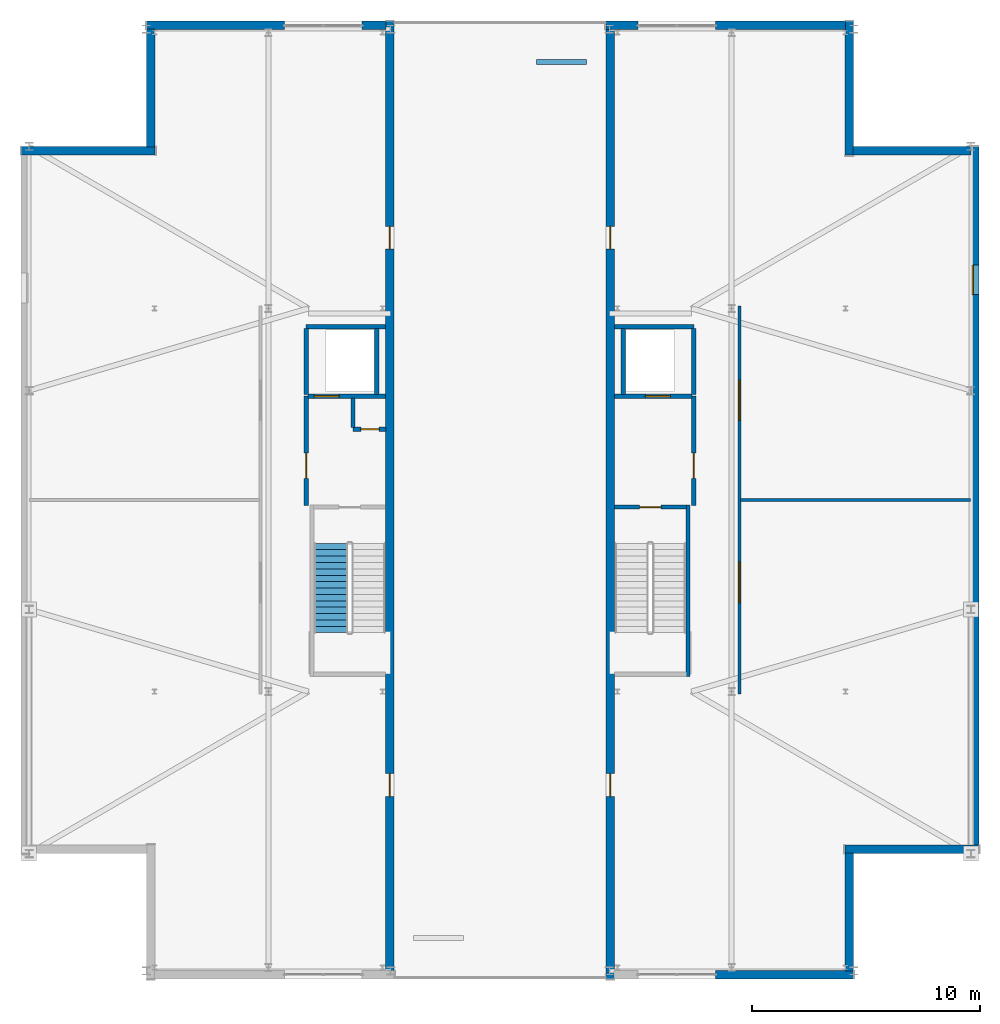
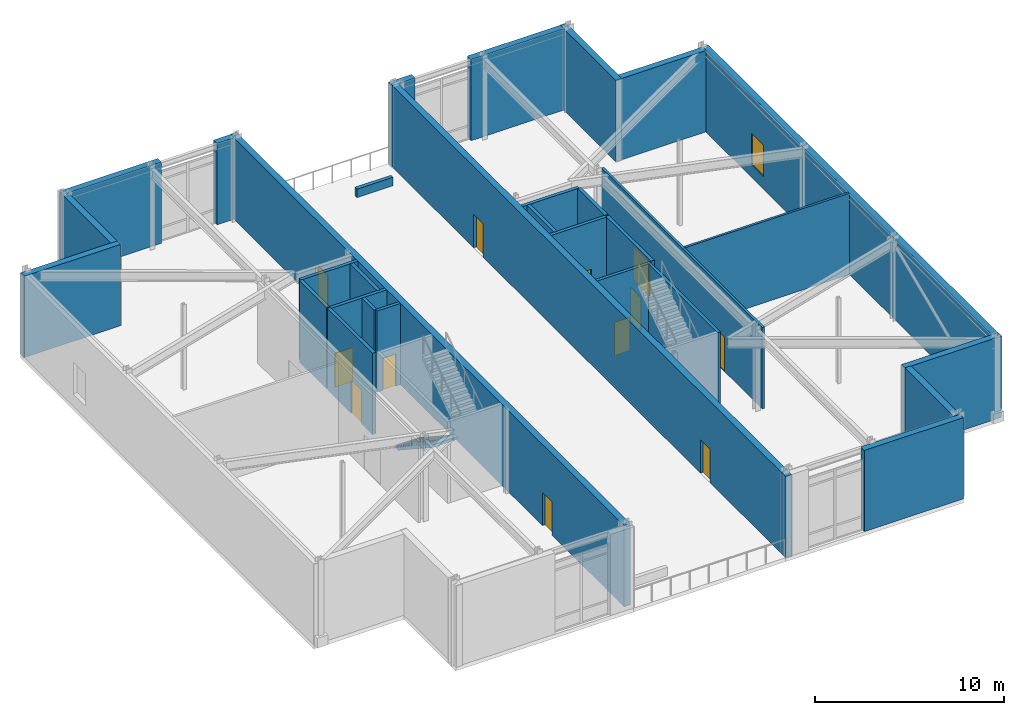
# One storey, part 12 of 16: 31 walls, 12 doors, 1 stair flight, 1 window, 13 openings, 1 element without a shape of its own.
"""IFC4 building model written with IfcOpenShell, lengths in metres."""

from ifc_helpers import new_model, si_unit, direction, frame, frame_2d, origin, place, context, subcontext, project, spatial, polyline, rectangle, outline, extrude, material, layer, layer_set, type_object, element, fill, aggregate, save


model = new_model("IFC4")

# Units and contexts
model_context = context("Model", 3, precision=1e-05, world=origin(), true_north=direction((0.0, 1.0)))
body_context = subcontext(model_context, "Body", "Model", "MODEL_VIEW")
ifc_project = project(units=[si_unit("LENGTHUNIT", "METRE"), si_unit("AREAUNIT", "SQUARE_METRE"), si_unit("VOLUMEUNIT", "CUBIC_METRE"), si_unit("PLANEANGLEUNIT", "RADIAN"), si_unit("MASSUNIT", "GRAM", prefix="KILO")], contexts=[model_context])

# Site, building, storey
site_placement = place(None, origin())
site = spatial("IfcSite", under=ifc_project, at=site_placement, CompositionType="ELEMENT")
building_placement = place(site_placement, origin())
building = spatial("IfcBuilding", under=site, at=building_placement, Name="Cairnveth Concourse Tower", CompositionType="ELEMENT")
storey_placement = place(building_placement, frame((0.0, 0.0, 324.5)))
storey = spatial("IfcBuildingStorey", under=building, at=storey_placement, Name="L89", CompositionType="ELEMENT", Elevation=324.5)

# Walls
ifc_material_1 = material(Name="Melbourne Buff Fired Clay Brick Masonry", Category="masonry")
ifc_layer_1 = layer(ifc_material_1, 0.3798828125)
ifc_layer_set_1 = layer_set([ifc_layer_1], Name="Melbourne Buff Fired Clay Brick Masonry")
wall_type_1 = type_object("IfcWallType", Name="EXTERIOR BRICK SPANDREL WALL 380", PredefinedType="SOLIDWALL", material=ifc_layer_set_1)
wall_1_placement = place(storey_placement, frame((31.0, 54.31005859375, 0.0), z_axis=(0.0, 0.0, 1.0), x_axis=(1.0, 0.0, 0.0)))
element("IfcWall", 1, at=wall_1_placement, inside=storey, type_object=wall_type_1, Name="Exterior Wall EW-L89-W3", PredefinedType="SOLIDWALL", context=body_context, shape_type="SweptSolid", body=[
    extrude(rectangle(XDim=5.8798828125, YDim=0.3798828125, at=frame_2d((2.93994140625, 0.0))), origin(), (0.0, 0.0, 1.0), 5.25),
])
wall_2_placement = place(storey_placement, frame((36.68994140625, 54.47802734375, 0.0), z_axis=(0.0, 0.0, 1.0), x_axis=(0.0, 1.0, 0.0)))
element("IfcWall", 2, at=wall_2_placement, inside=storey, type_object=wall_type_1, Name="Exterior Wall EW-L89-W4", PredefinedType="SOLIDWALL", context=body_context, shape_type="SweptSolid", body=[
    extrude(rectangle(XDim=5.1640625, YDim=0.3798828125, at=frame_2d((2.58203125, 0.0))), origin(), (0.0, 0.0, 1.0), 5.25),
])
wall_3_placement = place(storey_placement, frame((36.5, 59.81005859375, 0.0), z_axis=(0.0, 0.0, 1.0), x_axis=(1.0, 0.0, 0.0)))
element("IfcWall", 3, at=wall_3_placement, inside=storey, type_object=wall_type_1, Name="Exterior Wall EW-L89-W5A", PredefinedType="SOLIDWALL", context=body_context, shape_type="SweptSolid", body=[
    extrude(rectangle(XDim=6.050048828125, YDim=0.3798828125, at=frame_2d((3.02490234375, 0.0))), origin(), (0.0, 0.0, 1.0), 5.25),
])
wall_4_placement = place(storey_placement, frame((45.949951171875, 59.81005859375, 0.0), z_axis=(0.0, 0.0, 1.0), x_axis=(1.0, 0.0, 0.0)))
element("IfcWall", 4, at=wall_4_placement, inside=storey, type_object=wall_type_1, Name="Exterior Wall EW-L89-W5B", PredefinedType="SOLIDWALL", context=body_context, shape_type="SweptSolid", body=[
    extrude(rectangle(XDim=1.052001953125, YDim=0.3798828125, at=frame_2d((0.52587890625, 0.0))), origin(), (0.0, 0.0, 1.0), 5.25),
])

# Wall, openings, doors
wall_5_placement = place(storey_placement, frame((47.169921875, 60.0, 0.0), z_axis=(0.0, 0.0, 1.0), x_axis=(0.0, -1.0, 0.0)))
wall_5 = element("IfcWall", 5, at=wall_5_placement, inside=storey, type_object=wall_type_1, Name="Exterior Wall EW-L89-W6", PredefinedType="SOLIDWALL", context=body_context, shape_type="SweptSolid", body=[
    extrude(rectangle(XDim=41.64208984375, YDim=0.3798828125, at=frame_2d((20.821044921875, 0.0))), origin(), (0.0, 0.0, 1.0), 5.25),
])
opening_1_placement = place(wall_5_placement, frame((9.0, 0.0, 0.0)))
opening_1 = element("IfcOpeningElement", 6, at=opening_1_placement, cuts=wall_5, Name="Opening ED4", PredefinedType="OPENING", context=body_context, shape_type="SweptSolid", body=[
    extrude(rectangle(XDim=1.0, YDim=2.14990234375, at=frame_2d((0.5, 1.074951171875))), frame((0.0, 0.199951171875, 0.0), z_axis=(0.0, -1.0, 0.0), x_axis=(1.0, 0.0, 0.0)), (0.0, 0.0, 1.0), 0.39990234375),
])
opening_2_placement = place(wall_5_placement, frame((33.0, 0.0, 0.0)))
opening_2 = element("IfcOpeningElement", 7, at=opening_2_placement, cuts=wall_5, Name="Opening ED4", PredefinedType="OPENING", context=body_context, shape_type="SweptSolid", body=[
    extrude(rectangle(XDim=1.0, YDim=2.14990234375, at=frame_2d((0.5, 1.074951171875))), frame((0.0, 0.199951171875, 0.0), z_axis=(0.0, -1.0, 0.0), x_axis=(1.0, 0.0, 0.0)), (0.0, 0.0, 1.0), 0.39990234375),
])
ifc_material_2 = material(Name="Architectural Bronze Anodised Aluminium 6063-T6", Category="aluminium")
door_type_1 = type_object("IfcDoorType", Name="TERRACE GLAZED DOOR 1000X2150", OperationType="NOTDEFINED", PredefinedType="DOOR", material=ifc_material_2)
door_1_placement = place(opening_1_placement, origin())
door_1 = element("IfcDoor", 8, at=door_1_placement, inside=storey, type_object=door_type_1, Name="Crown Sky-Cleft Terrace Door W", OperationType="SINGLE_SWING_LEFT", OverallHeight=2.14990234375, OverallWidth=1.0, PredefinedType="DOOR", context=body_context, shape_type="SweptSolid", body=[
    extrude(rectangle(XDim=1.0, YDim=2.14990234375, at=frame_2d((0.5, 1.074951171875))), frame((0.0, 0.02490234375, 0.0), z_axis=(0.0, -1.0, 0.0), x_axis=(1.0, 0.0, 0.0)), (0.0, 0.0, 1.0), 0.050048828125),
])
fill(opening_1, door_1)
door_2_placement = place(opening_2_placement, origin())
door_2 = element("IfcDoor", 9, at=door_2_placement, inside=storey, type_object=door_type_1, Name="Crown Sky-Cleft Terrace Door W-S", OperationType="SINGLE_SWING_LEFT", OverallHeight=2.14990234375, OverallWidth=1.0, PredefinedType="DOOR", context=body_context, shape_type="SweptSolid", body=[
    extrude(rectangle(XDim=1.0, YDim=2.14990234375, at=frame_2d((0.5, 1.074951171875))), frame((0.0, 0.02490234375, 0.0), z_axis=(0.0, -1.0, 0.0), x_axis=(1.0, 0.0, 0.0)), (0.0, 0.0, 1.0), 0.050048828125),
])
fill(opening_2, door_2)

wall_6_placement = place(storey_placement, frame((56.830078125, 18.0, 0.0), z_axis=(0.0, 0.0, 1.0), x_axis=(0.0, 1.0, 0.0)))
wall_6 = element("IfcWall", 10, at=wall_6_placement, inside=storey, type_object=wall_type_1, Name="Exterior Wall EW-L89-E0", PredefinedType="SOLIDWALL", context=body_context, shape_type="SweptSolid", body=[
    extrude(rectangle(XDim=41.64208984375, YDim=0.3798828125, at=frame_2d((20.821044921875, 0.0))), origin(), (0.0, 0.0, 1.0), 5.25),
])
opening_3_placement = place(wall_6_placement, frame((32.0, 0.0, 0.0)))
opening_3 = element("IfcOpeningElement", 11, at=opening_3_placement, cuts=wall_6, Name="Opening ED4", PredefinedType="OPENING", context=body_context, shape_type="SweptSolid", body=[
    extrude(rectangle(XDim=1.0, YDim=2.14990234375, at=frame_2d((0.5, 1.074951171875))), frame((0.0, 0.199951171875, 0.0), z_axis=(0.0, -1.0, 0.0), x_axis=(1.0, 0.0, 0.0)), (0.0, 0.0, 1.0), 0.39990234375),
])
opening_4_placement = place(wall_6_placement, frame((8.0, 0.0, 0.0)))
opening_4 = element("IfcOpeningElement", 12, at=opening_4_placement, cuts=wall_6, Name="Opening ED4", PredefinedType="OPENING", context=body_context, shape_type="SweptSolid", body=[
    extrude(rectangle(XDim=1.0, YDim=2.14990234375, at=frame_2d((0.5, 1.074951171875))), frame((0.0, 0.199951171875, 0.0), z_axis=(0.0, -1.0, 0.0), x_axis=(1.0, 0.0, 0.0)), (0.0, 0.0, 1.0), 0.39990234375),
])
door_3_placement = place(opening_3_placement, origin())
door_3 = element("IfcDoor", 13, at=door_3_placement, inside=storey, type_object=door_type_1, Name="Crown Sky-Cleft Terrace Door E", OperationType="SINGLE_SWING_RIGHT", OverallHeight=2.14990234375, OverallWidth=1.0, PredefinedType="DOOR", context=body_context, shape_type="SweptSolid", body=[
    extrude(rectangle(XDim=1.0, YDim=2.14990234375, at=frame_2d((0.5, 1.074951171875))), frame((0.0, 0.02490234375, 0.0), z_axis=(0.0, -1.0, 0.0), x_axis=(1.0, 0.0, 0.0)), (0.0, 0.0, 1.0), 0.050048828125),
])
fill(opening_3, door_3)
door_4_placement = place(opening_4_placement, origin())
door_4 = element("IfcDoor", 14, at=door_4_placement, inside=storey, type_object=door_type_1, Name="Crown Sky-Cleft Terrace Door E-S", OperationType="SINGLE_SWING_RIGHT", OverallHeight=2.14990234375, OverallWidth=1.0, PredefinedType="DOOR", context=body_context, shape_type="SweptSolid", body=[
    extrude(rectangle(XDim=1.0, YDim=2.14990234375, at=frame_2d((0.5, 1.074951171875))), frame((0.0, 0.02490234375, 0.0), z_axis=(0.0, -1.0, 0.0), x_axis=(1.0, 0.0, 0.0)), (0.0, 0.0, 1.0), 0.050048828125),
])
fill(opening_4, door_4)

# Walls
wall_7_placement = place(storey_placement, frame((56.639892578125, 59.81005859375, 0.0), z_axis=(0.0, 0.0, 1.0), x_axis=(1.0, 0.0, 0.0)))
element("IfcWall", 15, at=wall_7_placement, inside=storey, type_object=wall_type_1, Name="Exterior Wall EW-L89-E1A", PredefinedType="SOLIDWALL", context=body_context, shape_type="SweptSolid", body=[
    extrude(rectangle(XDim=1.41015625, YDim=0.3798828125, at=frame_2d((0.705078125, 0.0))), origin(), (0.0, 0.0, 1.0), 5.25),
])
wall_8_placement = place(storey_placement, frame((61.449951171875, 59.81005859375, 0.0), z_axis=(0.0, 0.0, 1.0), x_axis=(1.0, 0.0, 0.0)))
element("IfcWall", 16, at=wall_8_placement, inside=storey, type_object=wall_type_1, Name="Exterior Wall EW-L89-E1B", PredefinedType="SOLIDWALL", context=body_context, shape_type="SweptSolid", body=[
    extrude(rectangle(XDim=5.692138671875, YDim=0.3798828125, at=frame_2d((2.84619140625, 0.0))), origin(), (0.0, 0.0, 1.0), 5.25),
])
wall_9_placement = place(storey_placement, frame((67.31005859375, 60.0, 0.0), z_axis=(0.0, 0.0, 1.0), x_axis=(0.0, -1.0, 0.0)))
element("IfcWall", 17, at=wall_9_placement, inside=storey, type_object=wall_type_1, Name="Exterior Wall EW-L89-E2", PredefinedType="SOLIDWALL", context=body_context, shape_type="SweptSolid", body=[
    extrude(rectangle(XDim=5.8798828125, YDim=0.3798828125, at=frame_2d((2.93994140625, 0.0))), origin(), (0.0, 0.0, 1.0), 5.25),
])
wall_10_placement = place(storey_placement, frame((67.47802734375, 54.31005859375, 0.0), z_axis=(0.0, 0.0, 1.0), x_axis=(1.0, 0.0, 0.0)))
element("IfcWall", 18, at=wall_10_placement, inside=storey, type_object=wall_type_1, Name="Exterior Wall EW-L89-E3", PredefinedType="SOLIDWALL", context=body_context, shape_type="SweptSolid", body=[
    extrude(rectangle(XDim=5.1640625, YDim=0.3798828125, at=frame_2d((2.58203125, 0.0))), origin(), (0.0, 0.0, 1.0), 5.25),
])

# Wall, opening, window
wall_11_placement = place(storey_placement, frame((72.81005859375, 54.5, 0.0), z_axis=(0.0, 0.0, 1.0), x_axis=(0.0, -1.0, 0.0)))
wall_11 = element("IfcWall", 19, at=wall_11_placement, inside=storey, type_object=wall_type_1, Name="Exterior Wall EW-L89-E4", PredefinedType="SOLIDWALL", context=body_context, shape_type="SweptSolid", body=[
    extrude(rectangle(XDim=30.64208984375, YDim=0.3798828125, at=frame_2d((15.321044921875, 0.0))), origin(), (0.0, 0.0, 1.0), 5.25),
])
opening_5_placement = place(wall_11_placement, frame((5.199951171875, 0.0, 0.800048828125)))
opening_5 = element("IfcOpeningElement", 20, at=opening_5_placement, cuts=wall_11, Name="Opening W12", PredefinedType="OPENING", context=body_context, shape_type="SweptSolid", body=[
    extrude(rectangle(XDim=1.300048828125, YDim=2.050048828125, at=frame_2d((0.64990234375, 1.02490234375))), frame((0.0, 0.199951171875, 0.0), z_axis=(0.0, -1.0, 0.0), x_axis=(1.0, 0.0, 0.0)), (0.0, 0.0, 1.0), 0.39990234375),
])
ifc_material_3 = material(Name="Double Glazed Low-E Clear Glass", Category="glass")
window_type = type_object("IfcWindowType", Name="CROWN GABLE LANCET WINDOW 1300X2200", PartitioningType="DOUBLE_PANEL_VERTICAL", PredefinedType="WINDOW", material=ifc_material_3)
window_placement = place(opening_5_placement, origin())
window = element("IfcWindow", 21, at=window_placement, inside=storey, type_object=window_type, Name="WIN-L89-E4-1", OverallHeight=2.050048828125, OverallWidth=1.300048828125, PartitioningType="SINGLE_PANEL", PredefinedType="WINDOW", context=body_context, shape_type="SweptSolid", body=[
    extrude(rectangle(XDim=1.300048828125, YDim=2.050048828125, at=frame_2d((0.64990234375, 1.02490234375))), frame((0.0, -0.050048828125, 0.0), z_axis=(0.0, -1.0, 0.0), x_axis=(1.0, 0.0, 0.0)), (0.0, 0.0, 1.0), 0.06005859375),
])
fill(opening_5, window)

# Walls
wall_12_placement = place(storey_placement, frame((73.0, 23.68994140625, 0.0), z_axis=(0.0, 0.0, 1.0), x_axis=(-1.0, 0.0, 0.0)))
element("IfcWall", 22, at=wall_12_placement, inside=storey, type_object=wall_type_1, Name="Exterior Wall EW-L89-E5", PredefinedType="SOLIDWALL", context=body_context, shape_type="SweptSolid", body=[
    extrude(rectangle(XDim=5.8798828125, YDim=0.3798828125, at=frame_2d((2.93994140625, 0.0))), origin(), (0.0, 0.0, 1.0), 5.25),
])
wall_13_placement = place(storey_placement, frame((67.31005859375, 23.52197265625, 0.0), z_axis=(0.0, 0.0, 1.0), x_axis=(0.0, -1.0, 0.0)))
element("IfcWall", 23, at=wall_13_placement, inside=storey, type_object=wall_type_1, Name="Exterior Wall EW-L89-E6", PredefinedType="SOLIDWALL", context=body_context, shape_type="SweptSolid", body=[
    extrude(rectangle(XDim=5.1640625, YDim=0.3798828125, at=frame_2d((2.58203125, 0.0))), origin(), (0.0, 0.0, 1.0), 5.25),
])
wall_14_placement = place(storey_placement, frame((67.5, 18.18994140625, 0.0), z_axis=(0.0, 0.0, 1.0), x_axis=(-1.0, 0.0, 0.0)))
element("IfcWall", 24, at=wall_14_placement, inside=storey, type_object=wall_type_1, Name="Exterior Wall EW-L89-E7A", PredefinedType="SOLIDWALL", context=body_context, shape_type="SweptSolid", body=[
    extrude(rectangle(XDim=6.050048828125, YDim=0.3798828125, at=frame_2d((3.02490234375, 0.0))), origin(), (0.0, 0.0, 1.0), 5.25),
])

# Wall, opening, door
ifc_material_4 = material(Name="Concrete N50 (50 MPa)", Category="concrete")
ifc_layer_2 = layer(ifc_material_4, 0.179931640625)
ifc_layer_set_2 = layer_set([ifc_layer_2], Name="Concrete N50 (50 MPa)")
wall_type_2 = type_object("IfcWallType", Name="FIRE SHAFT WALL 180", PredefinedType="SOLIDWALL", material=ifc_layer_set_2)
wall_15_placement = place(storey_placement, frame((45.550048828125, 42.10009765625, 0.0), z_axis=(0.0, 0.0, 1.0), x_axis=(1.0, 0.0, 0.0)))
wall_15 = element("IfcWall", 25, at=wall_15_placement, inside=storey, type_object=wall_type_2, Name="Interior Wall IW-L89-006", PredefinedType="SOLIDWALL", context=body_context, shape_type="SweptSolid", body=[
    extrude(rectangle(XDim=1.445068359375, YDim=0.179931640625, at=frame_2d((0.72265625, 0.0))), origin(), (0.0, 0.0, 1.0), 5.25),
])
opening_6_placement = place(wall_15_placement, frame((0.35009765625, 0.0, 0.0)))
opening_6 = element("IfcOpeningElement", 26, at=opening_6_placement, cuts=wall_15, Name="Opening ID24", PredefinedType="OPENING", context=body_context, shape_type="SweptSolid", body=[
    extrude(rectangle(XDim=0.800048828125, YDim=2.080078125, at=frame_2d((0.39990234375, 1.0400390625))), frame((0.0, 0.099853515625, 0.0), z_axis=(0.0, -1.0, 0.0), x_axis=(1.0, 0.0, 0.0)), (0.0, 0.0, 1.0), 0.199951171875),
])
ifc_material_5 = material(Name="Steel Grade 350", Category="steel")
door_type_2 = type_object("IfcDoorType", Name="RISER ACCESS DOOR 800X2100", OperationType="NOTDEFINED", PredefinedType="DOOR", material=ifc_material_5)
door_5_placement = place(opening_6_placement, origin())
door_5 = element("IfcDoor", 27, at=door_5_placement, inside=storey, type_object=door_type_2, Name="Crown Electrical Riser Access Door L89", OperationType="SINGLE_SWING_LEFT", OverallHeight=2.080078125, OverallWidth=0.800048828125, PredefinedType="DOOR", context=body_context, shape_type="SweptSolid", body=[
    extrude(rectangle(XDim=0.800048828125, YDim=2.080078125, at=frame_2d((0.39990234375, 1.0400390625))), frame((0.0, 0.02490234375, 0.0), z_axis=(0.0, -1.0, 0.0), x_axis=(1.0, 0.0, 0.0)), (0.0, 0.0, 1.0), 0.050048828125),
])
fill(opening_6, door_5)

# Wall
wall_16_placement = place(storey_placement, frame((45.550048828125, 42.175048828125, 0.0), z_axis=(0.0, 0.0, 1.0), x_axis=(0.0, 1.0, 0.0)))
element("IfcWall", 28, at=wall_16_placement, inside=storey, type_object=wall_type_2, Name="Interior Wall IW-L89-007", PredefinedType="SOLIDWALL", context=body_context, shape_type="SweptSolid", body=[
    extrude(rectangle(XDim=1.2900390625, YDim=0.179931640625, at=frame_2d((0.64501953125, 0.0))), origin(), (0.0, 0.0, 1.0), 5.25),
])

# Wall, opening, door
wall_17_placement = place(storey_placement, frame((57.010009765625, 38.68994140625, 0.0), z_axis=(0.0, 0.0, 1.0), x_axis=(1.0, 0.0, 0.0)))
wall_17 = element("IfcWall", 29, at=wall_17_placement, inside=storey, type_object=wall_type_2, Name="Stair ST-2 Shaft Wall NEAR L89", PredefinedType="SOLIDWALL", context=body_context, shape_type="SweptSolid", body=[
    extrude(rectangle(XDim=3.1650390625, YDim=0.179931640625, at=frame_2d((1.58251953125, 0.0))), origin(), (0.0, 0.0, 1.0), 5.25),
])
opening_7_placement = place(wall_17_placement, frame((1.107421875, 0.0, 0.0)))
opening_7 = element("IfcOpeningElement", 30, at=opening_7_placement, cuts=wall_17, Name="Opening ID12", PredefinedType="OPENING", context=body_context, shape_type="SweptSolid", body=[
    extrude(rectangle(XDim=0.949951171875, YDim=2.14990234375, at=frame_2d((0.47509765625, 1.074951171875))), frame((0.0, 0.099853515625, 0.0), z_axis=(0.0, -1.0, 0.0), x_axis=(1.0, 0.0, 0.0)), (0.0, 0.0, 1.0), 0.199951171875),
])
door_type_3 = type_object("IfcDoorType", Name="FIRE STAIR DOOR 950X2150", OperationType="NOTDEFINED", PredefinedType="DOOR", material=ifc_material_5)
door_6_placement = place(opening_7_placement, origin())
door_6 = element("IfcDoor", 31, at=door_6_placement, inside=storey, type_object=door_type_3, Name="Stair ST-2 Fire Door L89", OperationType="SINGLE_SWING_RIGHT", OverallHeight=2.14990234375, OverallWidth=0.949951171875, PredefinedType="DOOR", context=body_context, shape_type="SweptSolid", body=[
    extrude(rectangle(XDim=0.949951171875, YDim=2.14990234375, at=frame_2d((0.47509765625, 1.074951171875))), frame((0.0, 0.02490234375, 0.0), z_axis=(0.0, -1.0, 0.0), x_axis=(1.0, 0.0, 0.0)), (0.0, 0.0, 1.0), 0.050048828125),
])
fill(opening_7, door_6)

# Wall
wall_18_placement = place(storey_placement, frame((60.25, 38.780029296875, 0.0), z_axis=(0.0, 0.0, 1.0), x_axis=(0.0, -1.0, 0.0)))
element("IfcWall", 32, at=wall_18_placement, inside=storey, type_object=wall_type_2, Name="Stair ST-2 Shaft Wall RGHT L89", PredefinedType="SOLIDWALL", context=body_context, shape_type="SweptSolid", body=[
    extrude(rectangle(XDim=7.510009765625, YDim=0.179931640625, at=frame_2d((3.7548828125, 0.0))), origin(), (0.0, 0.0, 1.0), 5.25),
])

# Wall, opening, door
ifc_layer_3 = layer(ifc_material_4, 0.199951171875)
ifc_layer_set_3 = layer_set([ifc_layer_3], Name="Concrete N50 (50 MPa)")
wall_type_3 = type_object("IfcWallType", Name="FIRE SHAFT WALL 200", PredefinedType="SOLIDWALL", material=ifc_layer_set_3)
wall_19_placement = place(storey_placement, frame((43.5, 38.75, 0.0), z_axis=(0.0, 0.0, 1.0), x_axis=(0.0, 1.0, 0.0)))
wall_19 = element("IfcWall", 33, at=wall_19_placement, inside=storey, type_object=wall_type_3, Name="Interior Wall IW-L89-001", PredefinedType="SOLIDWALL", context=body_context, shape_type="SweptSolid", body=[
    extrude(rectangle(XDim=4.800048828125, YDim=0.199951171875, at=frame_2d((2.39990234375, 0.0))), origin(), (0.0, 0.0, 1.0), 5.25),
])
opening_8_placement = place(wall_19_placement, frame((1.199951171875, 0.0, 0.0)))
opening_8 = element("IfcOpeningElement", 34, at=opening_8_placement, cuts=wall_19, Name="Opening ID06", PredefinedType="OPENING", context=body_context, shape_type="SweptSolid", body=[
    extrude(rectangle(XDim=1.10009765625, YDim=2.14990234375, at=frame_2d((0.550048828125, 1.074951171875))), frame((0.0, 0.10986328125, 0.0), z_axis=(0.0, -1.0, 0.0), x_axis=(1.0, 0.0, 0.0)), (0.0, 0.0, 1.0), 0.219970703125),
])
door_type_4 = type_object("IfcDoorType", Name="FIRE CORRIDOR DOOR 1100X2150", OperationType="NOTDEFINED", PredefinedType="DOOR", material=ifc_material_5)
door_7_placement = place(opening_8_placement, origin())
door_7 = element("IfcDoor", 35, at=door_7_placement, inside=storey, type_object=door_type_4, Name="West Crown to FF Lobby Door L89", OperationType="SINGLE_SWING_RIGHT", OverallHeight=2.14990234375, OverallWidth=1.10009765625, PredefinedType="DOOR", context=body_context, shape_type="SweptSolid", body=[
    extrude(rectangle(XDim=1.10009765625, YDim=2.14990234375, at=frame_2d((0.550048828125, 1.074951171875))), frame((0.0, 0.02490234375, 0.0), z_axis=(0.0, -1.0, 0.0), x_axis=(1.0, 0.0, 0.0)), (0.0, 0.0, 1.0), 0.050048828125),
])
fill(opening_8, door_7)

wall_20_placement = place(storey_placement, frame((43.5849609375, 43.550048828125, 0.0), z_axis=(0.0, 0.0, 1.0), x_axis=(1.0, 0.0, 0.0)))
wall_20 = element("IfcWall", 36, at=wall_20_placement, inside=storey, type_object=wall_type_3, Name="Interior Wall IW-L89-002", PredefinedType="SOLIDWALL", context=body_context, shape_type="SweptSolid", body=[
    extrude(rectangle(XDim=3.39501953125, YDim=0.199951171875, at=frame_2d((1.697509765625, 0.0))), origin(), (0.0, 0.0, 1.0), 5.25),
])
opening_9_placement = place(wall_20_placement, frame((0.264892578125, 0.0, 0.0)))
opening_9 = element("IfcOpeningElement", 37, at=opening_9_placement, cuts=wall_20, Name="Opening LD-1", PredefinedType="OPENING", context=body_context, shape_type="SweptSolid", body=[
    extrude(rectangle(XDim=1.10009765625, YDim=2.199951171875, at=frame_2d((0.550048828125, 1.10009765625))), frame((0.0, 0.10986328125, 0.0), z_axis=(0.0, -1.0, 0.0), x_axis=(1.0, 0.0, 0.0)), (0.0, 0.0, 1.0), 0.219970703125),
])
door_type_5 = type_object("IfcDoorType", Name="LIFT LANDING DOOR 1100X2200", OperationType="SLIDING_TO_LEFT", PredefinedType="DOOR", material=ifc_material_2)
door_8_placement = place(opening_9_placement, origin())
door_8 = element("IfcDoor", 38, at=door_8_placement, inside=storey, type_object=door_type_5, Name="Lift FFL1 Landing Door L89", OperationType="SLIDING_TO_LEFT", OverallHeight=2.199951171875, OverallWidth=1.10009765625, PredefinedType="DOOR", context=body_context, shape_type="SweptSolid", body=[
    extrude(rectangle(XDim=1.10009765625, YDim=2.199951171875, at=frame_2d((0.550048828125, 1.10009765625))), frame((0.0, 0.02490234375, 0.0), z_axis=(0.0, -1.0, 0.0), x_axis=(1.0, 0.0, 0.0)), (0.0, 0.0, 1.0), 0.050048828125),
])
fill(opening_9, door_8)

# Walls
wall_21_placement = place(storey_placement, frame((43.5, 46.60009765625, 0.0), z_axis=(0.0, 0.0, 1.0), x_axis=(1.0, 0.0, 0.0)))
element("IfcWall", 39, at=wall_21_placement, inside=storey, type_object=wall_type_3, Name="Interior Wall IW-L89-003", PredefinedType="SOLIDWALL", context=body_context, shape_type="SweptSolid", body=[
    extrude(rectangle(XDim=3.47998046875, YDim=0.199951171875, at=frame_2d((1.739990234375, 0.0))), origin(), (0.0, 0.0, 1.0), 5.25),
])
for number, where, z_axis, x_axis, name in (
    (40, (46.60009765625, 43.635009765625, 0.0), (0.0, 0.0, 1.0), (0.0, 1.0, 0.0), "Interior Wall IW-L89-004"),
    (41, (43.5, 43.635009765625, 0.0), (0.0, 0.0, 1.0), (0.0, 1.0, 0.0), "Interior Wall IW-L89-005"),
):
    element("IfcWall", number, at=place(storey_placement, frame(where, z_axis=z_axis, x_axis=x_axis)), inside=storey, type_object=wall_type_3, Name=name, PredefinedType="SOLIDWALL", context=body_context, shape_type="SweptSolid", body=[
        extrude(rectangle(XDim=2.8798828125, YDim=0.199951171875, at=frame_2d((1.43994140625, 0.0))), origin(), (0.0, 0.0, 1.0), 5.25),
    ])

# Wall, opening, door
wall_22_placement = place(storey_placement, frame((60.5, 38.75, 0.0), z_axis=(0.0, 0.0, 1.0), x_axis=(0.0, 1.0, 0.0)))
wall_22 = element("IfcWall", 42, at=wall_22_placement, inside=storey, type_object=wall_type_3, Name="Interior Wall IW-L89-008", PredefinedType="SOLIDWALL", context=body_context, shape_type="SweptSolid", body=[
    extrude(rectangle(XDim=4.800048828125, YDim=0.199951171875, at=frame_2d((2.39990234375, 0.0))), origin(), (0.0, 0.0, 1.0), 5.25),
])
opening_10_placement = place(wall_22_placement, frame((1.199951171875, 0.0, 0.0)))
opening_10 = element("IfcOpeningElement", 43, at=opening_10_placement, cuts=wall_22, Name="Opening ID06", PredefinedType="OPENING", context=body_context, shape_type="SweptSolid", body=[
    extrude(rectangle(XDim=1.10009765625, YDim=2.14990234375, at=frame_2d((0.550048828125, 1.074951171875))), frame((0.0, 0.10986328125, 0.0), z_axis=(0.0, -1.0, 0.0), x_axis=(1.0, 0.0, 0.0)), (0.0, 0.0, 1.0), 0.219970703125),
])
door_9_placement = place(opening_10_placement, origin())
door_9 = element("IfcDoor", 44, at=door_9_placement, inside=storey, type_object=door_type_4, Name="East Crown to FF Lobby Door L89", OperationType="SINGLE_SWING_RIGHT", OverallHeight=2.14990234375, OverallWidth=1.10009765625, PredefinedType="DOOR", context=body_context, shape_type="SweptSolid", body=[
    extrude(rectangle(XDim=1.10009765625, YDim=2.14990234375, at=frame_2d((0.550048828125, 1.074951171875))), frame((0.0, 0.02490234375, 0.0), z_axis=(0.0, -1.0, 0.0), x_axis=(1.0, 0.0, 0.0)), (0.0, 0.0, 1.0), 0.050048828125),
])
fill(opening_10, door_9)

wall_23_placement = place(storey_placement, frame((57.02001953125, 43.550048828125, 0.0), z_axis=(0.0, 0.0, 1.0), x_axis=(1.0, 0.0, 0.0)))
wall_23 = element("IfcWall", 45, at=wall_23_placement, inside=storey, type_object=wall_type_3, Name="Interior Wall IW-L89-009", PredefinedType="SOLIDWALL", context=body_context, shape_type="SweptSolid", body=[
    extrude(rectangle(XDim=3.39501953125, YDim=0.199951171875, at=frame_2d((1.697509765625, 0.0))), origin(), (0.0, 0.0, 1.0), 5.25),
])
opening_11_placement = place(wall_23_placement, frame((1.35009765625, 0.0, 0.0)))
opening_11 = element("IfcOpeningElement", 46, at=opening_11_placement, cuts=wall_23, Name="Opening LD-1", PredefinedType="OPENING", context=body_context, shape_type="SweptSolid", body=[
    extrude(rectangle(XDim=1.10009765625, YDim=2.199951171875, at=frame_2d((0.550048828125, 1.10009765625))), frame((0.0, 0.10986328125, 0.0), z_axis=(0.0, -1.0, 0.0), x_axis=(1.0, 0.0, 0.0)), (0.0, 0.0, 1.0), 0.219970703125),
])
door_10_placement = place(opening_11_placement, origin())
door_10 = element("IfcDoor", 47, at=door_10_placement, inside=storey, type_object=door_type_5, Name="Lift FFL2 Landing Door L89", OperationType="SLIDING_TO_LEFT", OverallHeight=2.199951171875, OverallWidth=1.10009765625, PredefinedType="DOOR", context=body_context, shape_type="SweptSolid", body=[
    extrude(rectangle(XDim=1.10009765625, YDim=2.199951171875, at=frame_2d((0.550048828125, 1.10009765625))), frame((0.0, 0.02490234375, 0.0), z_axis=(0.0, -1.0, 0.0), x_axis=(1.0, 0.0, 0.0)), (0.0, 0.0, 1.0), 0.050048828125),
])
fill(opening_11, door_10)

# Walls
wall_24_placement = place(storey_placement, frame((57.02001953125, 46.60009765625, 0.0), z_axis=(0.0, 0.0, 1.0), x_axis=(1.0, 0.0, 0.0)))
element("IfcWall", 48, at=wall_24_placement, inside=storey, type_object=wall_type_3, Name="Interior Wall IW-L89-010", PredefinedType="SOLIDWALL", context=body_context, shape_type="SweptSolid", body=[
    extrude(rectangle(XDim=3.47998046875, YDim=0.199951171875, at=frame_2d((1.739990234375, 0.0))), origin(), (0.0, 0.0, 1.0), 5.25),
])
for number, where, z_axis, x_axis, name in (
    (49, (57.39990234375, 43.635009765625, 0.0), (0.0, 0.0, 1.0), (0.0, 1.0, 0.0), "Interior Wall IW-L89-011"),
    (50, (60.5, 43.635009765625, 0.0), (0.0, 0.0, 1.0), (0.0, 1.0, 0.0), "Interior Wall IW-L89-012"),
):
    element("IfcWall", number, at=place(storey_placement, frame(where, z_axis=z_axis, x_axis=x_axis)), inside=storey, type_object=wall_type_3, Name=name, PredefinedType="SOLIDWALL", context=body_context, shape_type="SweptSolid", body=[
        extrude(rectangle(XDim=2.8798828125, YDim=0.199951171875, at=frame_2d((1.43994140625, 0.0))), origin(), (0.0, 0.0, 1.0), 5.25),
    ])

# Wall, openings, doors
ifc_material_6 = material(Name="Gypsum Plasterboard Partition", Category="gypsum")
ifc_layer_4 = layer(ifc_material_6, 0.139892578125)
ifc_layer_set_4 = layer_set([ifc_layer_4], Name="Gypsum Plasterboard Partition")
wall_type_4 = type_object("IfcWallType", Name="GYPSUM STUD PARTITION 140", PredefinedType="PARTITIONING", material=ifc_layer_set_4)
wall_25_placement = place(storey_placement, frame((62.5, 30.5, 0.0), z_axis=(0.0, 0.0, 1.0), x_axis=(0.0, 1.0, 0.0)))
wall_25 = element("IfcWall", 51, at=wall_25_placement, inside=storey, type_object=wall_type_4, Name="Interior Wall IW-L89-015", PredefinedType="PARTITIONING", context=body_context, shape_type="SweptSolid", body=[
    extrude(rectangle(XDim=17.0, YDim=0.139892578125, at=frame_2d((8.5, 0.0))), origin(), (0.0, 0.0, 1.0), 5.25),
])
opening_12_placement = place(wall_25_placement, frame((4.0, 0.0, 0.0)))
opening_12 = element("IfcOpeningElement", 52, at=opening_12_placement, cuts=wall_25, Name="Opening ID27", PredefinedType="OPENING", context=body_context, shape_type="SweptSolid", body=[
    extrude(rectangle(XDim=1.760009765625, YDim=2.199951171875, at=frame_2d((0.8798828125, 1.10009765625))), frame((0.0, 0.079833984375, 0.0), z_axis=(0.0, -1.0, 0.0), x_axis=(1.0, 0.0, 0.0)), (0.0, 0.0, 1.0), 0.159912109375),
])
opening_13_placement = place(wall_25_placement, frame((12.0, 0.0, 0.0)))
opening_13 = element("IfcOpeningElement", 53, at=opening_13_placement, cuts=wall_25, Name="Opening ID27", PredefinedType="OPENING", context=body_context, shape_type="SweptSolid", body=[
    extrude(rectangle(XDim=1.760009765625, YDim=2.199951171875, at=frame_2d((0.8798828125, 1.10009765625))), frame((0.0, 0.079833984375, 0.0), z_axis=(0.0, -1.0, 0.0), x_axis=(1.0, 0.0, 0.0)), (0.0, 0.0, 1.0), 0.159912109375),
])
ifc_material_7 = material(Name="Solid Core Hardwood Timber Leaf", Category="wood")
door_type_6 = type_object("IfcDoorType", Name="CONCOURSE DOUBLE DOOR 1760X2200", OperationType="DOUBLE_DOOR_SINGLE_SWING", PredefinedType="DOOR", material=ifc_material_7)
door_11_placement = place(opening_12_placement, origin())
door_11 = element("IfcDoor", 54, at=door_11_placement, inside=storey, type_object=door_type_6, Name="Interior Door DR-L89-008", OperationType="DOUBLE_DOOR_SINGLE_SWING", OverallHeight=2.199951171875, OverallWidth=1.760009765625, PredefinedType="DOOR", context=body_context, shape_type="SweptSolid", body=[
    extrude(rectangle(XDim=1.760009765625, YDim=2.199951171875, at=frame_2d((0.8798828125, 1.10009765625))), frame((0.0, 0.02490234375, 0.0), z_axis=(0.0, -1.0, 0.0), x_axis=(1.0, 0.0, 0.0)), (0.0, 0.0, 1.0), 0.050048828125),
])
fill(opening_12, door_11)
door_12_placement = place(opening_13_placement, origin())
door_12 = element("IfcDoor", 55, at=door_12_placement, inside=storey, type_object=door_type_6, Name="Interior Door DR-L89-009", OperationType="DOUBLE_DOOR_SINGLE_SWING", OverallHeight=2.199951171875, OverallWidth=1.760009765625, PredefinedType="DOOR", context=body_context, shape_type="SweptSolid", body=[
    extrude(rectangle(XDim=1.760009765625, YDim=2.199951171875, at=frame_2d((0.8798828125, 1.10009765625))), frame((0.0, 0.02490234375, 0.0), z_axis=(0.0, -1.0, 0.0), x_axis=(1.0, 0.0, 0.0)), (0.0, 0.0, 1.0), 0.050048828125),
])
fill(opening_13, door_12)

# Walls
wall_26_placement = place(storey_placement, frame((62.554931640625, 39.0, 0.0), z_axis=(0.0, 0.0, 1.0), x_axis=(1.0, 0.0, 0.0)))
element("IfcWall", 56, at=wall_26_placement, inside=storey, type_object=wall_type_4, Name="Interior Wall IW-L89-016", PredefinedType="PARTITIONING", context=body_context, shape_type="SweptSolid", body=[
    extrude(rectangle(XDim=10.080078125, YDim=0.139892578125, at=frame_2d((5.0400390625, 0.0))), origin(), (0.0, 0.0, 1.0), 5.25),
])
ifc_material_8 = material(Name="Dressed Melbourne Bluestone Cladding", Category="masonry")
ifc_layer_5 = layer(ifc_material_8, 0.219970703125)
ifc_layer_set_5 = layer_set([ifc_layer_5], Name="Dressed Melbourne Bluestone Cladding")
wall_type_5 = type_object("IfcWallType", Name="TERRACE PLANTER CURB WALL 220", PredefinedType="PARAPET", material=ifc_layer_set_5)
wall_27_placement = place(storey_placement, frame((53.60009765625, 58.199951171875, 0.0), z_axis=(0.0, 0.0, 1.0), x_axis=(1.0, 0.0, 0.0)))
element("IfcWall", 57, at=wall_27_placement, inside=storey, type_object=wall_type_5, Name="Exterior Wall PLNT-L89-CLEFT-2", PredefinedType="PARAPET", context=body_context, shape_type="SweptSolid", body=[
    extrude(rectangle(XDim=2.199951171875, YDim=0.219970703125, at=frame_2d((1.10009765625, 0.0))), origin(), (0.0, 0.0, 1.0), 0.550048828125),
])

# Stair, stair flight
ifc_material_9 = material(Name="Precast concrete N50 (50 MPa)", Category="concrete")
stair_type = type_object("IfcStairType", Name="CORE DOG-LEG FIRE STAIR 1500", PredefinedType="HALF_TURN_STAIR", material=ifc_material_9)
stair_placement = place(storey_placement, origin())
stair = element("IfcStair", 58, at=stair_placement, inside=storey, type_object=stair_type, Name="L89 Fire-Isolated Stair ST-1", PredefinedType="HALF_TURN_STAIR")
stair_flight_type = type_object("IfcStairFlightType", Name="PRECAST CONCRETE STAIR FLIGHT 1500", PredefinedType="STRAIGHT", material=ifc_material_9)
stair_flight_placement = place(storey_placement, frame((44.590087890625, 37.10009765625, 0.0), z_axis=(0.0, 0.0, 1.0), x_axis=(0.0, -1.0, 0.0)))
stair_flight = element("IfcStairFlight", 59, at=stair_flight_placement, type_object=stair_flight_type, Name="ST-1 flight 1", NumberOfRisers=15, NumberOfTreads=14, PredefinedType="STRAIGHT", RiserHeight=0.183333333, TreadLength=0.28, context=body_context, shape_type="SweptSolid", body=[
    extrude(outline(polyline([(0.0, 0.0), (0.0, 0.183349609375), (0.280029296875, 0.183349609375), (0.280029296875, 0.36669921875), (0.56005859375, 0.36669921875), (0.56005859375, 0.550048828125), (0.840087890625, 0.550048828125), (0.840087890625, 0.7333984375), (1.1201171875, 0.7333984375), (1.1201171875, 0.916748046875), (1.39990234375, 0.916748046875), (1.39990234375, 1.10009765625), (1.679931640625, 1.10009765625), (1.679931640625, 1.283447265625), (1.9599609375, 1.283447265625), (1.9599609375, 1.466552734375), (2.239990234375, 1.466552734375), (2.239990234375, 1.64990234375), (2.52001953125, 1.64990234375), (2.52001953125, 1.833251953125), (2.800048828125, 1.833251953125), (2.800048828125, 2.0166015625), (3.080078125, 2.0166015625), (3.080078125, 2.199951171875), (3.360107421875, 2.199951171875), (3.360107421875, 2.38330078125), (3.639892578125, 2.38330078125), (3.639892578125, 2.566650390625), (3.919921875, 2.566650390625), (3.919921875, 2.75), (3.919921875, 2.387451171875), (0.273681640625, 0.0), (0.0, 0.0)])), frame((0.0, 0.75, 0.0), z_axis=(0.0, -1.0, 0.0), x_axis=(1.0, 0.0, 0.0)), (0.0, 0.0, 1.0), 1.5),
])
aggregate(stair, [stair_flight])

save(model, "model.ifc")
